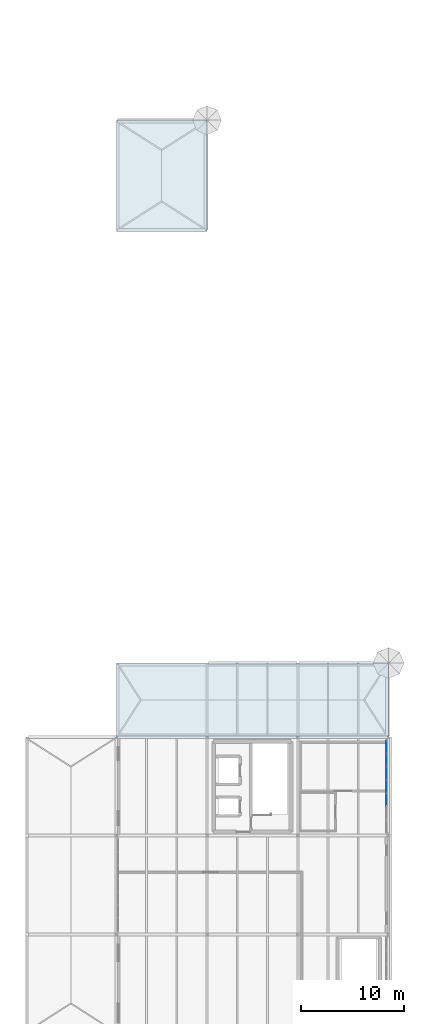
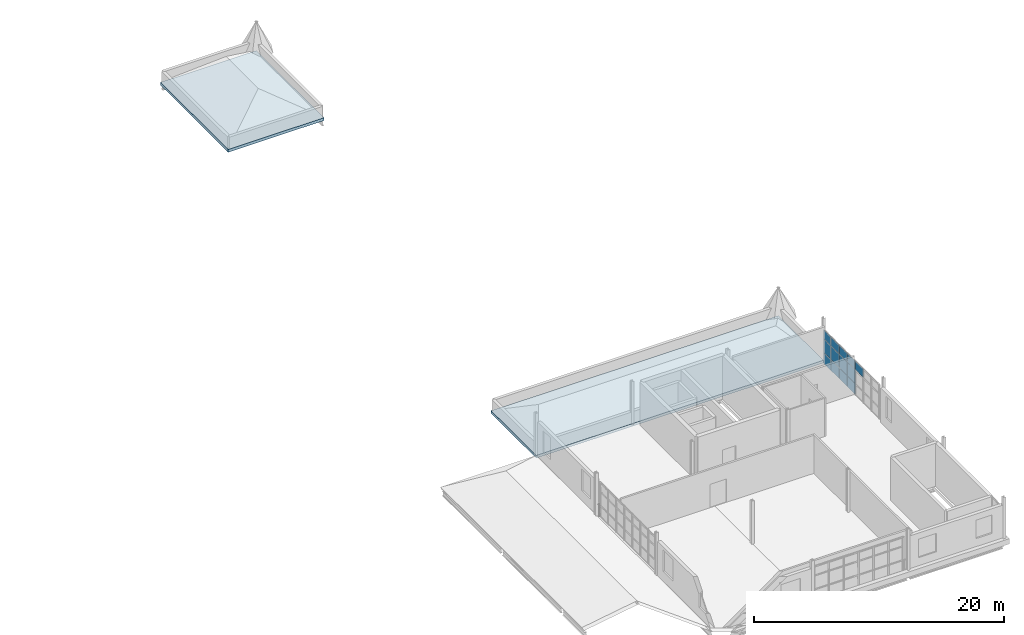
# One storey, part 20 of 28: 13 plates, 2 slabs, 1 element without a shape of its own.
"""IFC4 building model written with IfcOpenShell, lengths in metres."""

from ifc_helpers import new_model, si_unit, direction, frame, origin, origin_2d, place, context, subcontext, project, spatial, polyline, rectangle, outline, extrude, material, layer, layer_set, type_object, element, aggregate, save


model = new_model("IFC4")

# Units and contexts
model_context = context("Model", 3, precision=1e-05, world=origin(), true_north=direction((0.0, 1.0)))
body_context = subcontext(model_context, "Body", "Model", "MODEL_VIEW")
ifc_project = project(units=[si_unit("LENGTHUNIT", "METRE"), si_unit("AREAUNIT", "SQUARE_METRE"), si_unit("VOLUMEUNIT", "CUBIC_METRE"), si_unit("PLANEANGLEUNIT", "RADIAN"), si_unit("MASSUNIT", "GRAM", prefix="KILO")], contexts=[model_context])

# Site, building, storey
site_placement = place(None, origin())
site = spatial("IfcSite", under=ifc_project, at=site_placement, CompositionType="ELEMENT")
building_placement = place(site_placement, origin())
building = spatial("IfcBuilding", under=site, at=building_placement, Name="Yeouljin Market Hall", CompositionType="ELEMENT")
storey_placement = place(building_placement, frame((0.0, 0.0, 15.0)))
storey = spatial("IfcBuildingStorey", under=building, at=storey_placement, Name="L03", CompositionType="ELEMENT", Elevation=15.0)

# Curtain wall, plates
ifc_material_1 = material(Name="Thermally Broken Aluminium", Category="aluminium")
ifc_layer_1 = layer(ifc_material_1, 0.14990234375)
ifc_layer_set_1 = layer_set([ifc_layer_1], Name="Thermally Broken Aluminium")
curtain_wall_type = type_object("IfcCurtainWallType", Name="CW_AcademyRibbon_System", PredefinedType="USERDEFINED", material=ifc_layer_set_1)
curtain_wall_placement = place(storey_placement, origin())
curtain_wall = element("IfcCurtainWall", 1, at=curtain_wall_placement, inside=storey, type_object=curtain_wall_type, Name="Curtain wall CW-L03-W13", ObjectType="CURTAIN WALL", PredefinedType="USERDEFINED")
ifc_material_2 = material(Name="Low-E Insulated Glass", Category="glass")
ifc_layer_2 = layer(ifc_material_2, 0.028076171875)
ifc_layer_set_2 = layer_set([ifc_layer_2], Name="Low-E Insulated Glass")
plate_type = type_object("IfcPlateType", Name="CWPanel_LowE_28", PredefinedType="CURTAIN_PANEL", material=ifc_layer_set_2)
plate_1_placement = place(storey_placement, frame((176.199951171875, 27.84521484375, 0.0478515625), z_axis=(0.0, 0.0, 1.0), x_axis=(0.0, -1.0, 0.0)))
plate_1 = element("IfcPlate", 2, at=plate_1_placement, type_object=plate_type, Name="CW-05 panel 1.1", PredefinedType="CURTAIN_PANEL", context=body_context, shape_type="SweptSolid", body=[
    extrude(rectangle(XDim=1.213623046875, YDim=0.028076171875, at=origin_2d()), origin(), (0.0, 0.0, 1.0), 1.028076171875),
])
plate_2_placement = place(storey_placement, frame((176.199951171875, 27.84521484375, 1.1240234375), z_axis=(0.0, 0.0, 1.0), x_axis=(0.0, -1.0, 0.0)))
plate_2 = element("IfcPlate", 3, at=plate_2_placement, type_object=plate_type, Name="CW-05 panel 1.2", PredefinedType="CURTAIN_PANEL", context=body_context, shape_type="SweptSolid", body=[
    extrude(rectangle(XDim=1.213623046875, YDim=0.028076171875, at=origin_2d()), origin(), (0.0, 0.0, 1.0), 1.302001953125),
])
plate_3_placement = place(storey_placement, frame((176.199951171875, 27.84521484375, 2.47412109375), z_axis=(0.0, 0.0, 1.0), x_axis=(0.0, -1.0, 0.0)))
plate_3 = element("IfcPlate", 4, at=plate_3_placement, type_object=plate_type, Name="CW-05 panel 1.3", PredefinedType="CURTAIN_PANEL", context=body_context, shape_type="SweptSolid", body=[
    extrude(rectangle(XDim=1.213623046875, YDim=0.028076171875, at=origin_2d()), origin(), (0.0, 0.0, 1.0), 0.827880859375),
])
plate_4_placement = place(storey_placement, frame((176.199951171875, 26.571533203125, 0.0478515625), z_axis=(0.0, 0.0, 1.0), x_axis=(0.0, -1.0, 0.0)))
plate_4 = element("IfcPlate", 5, at=plate_4_placement, type_object=plate_type, Name="CW-05 panel 2.1", PredefinedType="CURTAIN_PANEL", context=body_context, shape_type="SweptSolid", body=[
    extrude(rectangle(XDim=1.23779296875, YDim=0.028076171875, at=origin_2d()), origin(), (0.0, 0.0, 1.0), 1.028076171875),
])
plate_5_placement = place(storey_placement, frame((176.199951171875, 26.571533203125, 1.1240234375), z_axis=(0.0, 0.0, 1.0), x_axis=(0.0, -1.0, 0.0)))
plate_5 = element("IfcPlate", 6, at=plate_5_placement, type_object=plate_type, Name="CW-05 panel 2.2", PredefinedType="CURTAIN_PANEL", context=body_context, shape_type="SweptSolid", body=[
    extrude(rectangle(XDim=1.23779296875, YDim=0.028076171875, at=origin_2d()), origin(), (0.0, 0.0, 1.0), 1.302001953125),
])
plate_6_placement = place(storey_placement, frame((176.199951171875, 26.571533203125, 2.47412109375), z_axis=(0.0, 0.0, 1.0), x_axis=(0.0, -1.0, 0.0)))
plate_6 = element("IfcPlate", 7, at=plate_6_placement, type_object=plate_type, Name="CW-05 panel 2.3", PredefinedType="CURTAIN_PANEL", context=body_context, shape_type="SweptSolid", body=[
    extrude(rectangle(XDim=1.23779296875, YDim=0.028076171875, at=origin_2d()), origin(), (0.0, 0.0, 1.0), 0.827880859375),
])
plate_7_placement = place(storey_placement, frame((176.199951171875, 25.28564453125, 0.0478515625), z_axis=(0.0, 0.0, 1.0), x_axis=(0.0, -1.0, 0.0)))
plate_7 = element("IfcPlate", 8, at=plate_7_placement, type_object=plate_type, Name="CW-05 panel 3.1", PredefinedType="CURTAIN_PANEL", context=body_context, shape_type="SweptSolid", body=[
    extrude(rectangle(XDim=1.23779296875, YDim=0.028076171875, at=origin_2d()), origin(), (0.0, 0.0, 1.0), 1.028076171875),
])
plate_8_placement = place(storey_placement, frame((176.199951171875, 25.28564453125, 1.1240234375), z_axis=(0.0, 0.0, 1.0), x_axis=(0.0, -1.0, 0.0)))
plate_8 = element("IfcPlate", 9, at=plate_8_placement, type_object=plate_type, Name="CW-05 panel 3.2", PredefinedType="CURTAIN_PANEL", context=body_context, shape_type="SweptSolid", body=[
    extrude(rectangle(XDim=1.23779296875, YDim=0.028076171875, at=origin_2d()), origin(), (0.0, 0.0, 1.0), 1.302001953125),
])
plate_9_placement = place(storey_placement, frame((176.199951171875, 25.28564453125, 2.47412109375), z_axis=(0.0, 0.0, 1.0), x_axis=(0.0, -1.0, 0.0)))
plate_9 = element("IfcPlate", 10, at=plate_9_placement, type_object=plate_type, Name="CW-05 panel 3.3", PredefinedType="CURTAIN_PANEL", context=body_context, shape_type="SweptSolid", body=[
    extrude(rectangle(XDim=1.23779296875, YDim=0.028076171875, at=origin_2d()), origin(), (0.0, 0.0, 1.0), 0.827880859375),
])
plate_10_placement = place(storey_placement, frame((176.199951171875, 24.0, 0.0478515625), z_axis=(0.0, 0.0, 1.0), x_axis=(0.0, -1.0, 0.0)))
plate_10 = element("IfcPlate", 11, at=plate_10_placement, type_object=plate_type, Name="CW-05 panel 4.1", PredefinedType="CURTAIN_PANEL", context=body_context, shape_type="SweptSolid", body=[
    extrude(rectangle(XDim=1.23779296875, YDim=0.028076171875, at=origin_2d()), origin(), (0.0, 0.0, 1.0), 1.028076171875),
])
plate_11_placement = place(storey_placement, frame((176.199951171875, 24.0, 1.1240234375), z_axis=(0.0, 0.0, 1.0), x_axis=(0.0, -1.0, 0.0)))
plate_11 = element("IfcPlate", 12, at=plate_11_placement, type_object=plate_type, Name="CW-05 panel 4.2", PredefinedType="CURTAIN_PANEL", context=body_context, shape_type="SweptSolid", body=[
    extrude(rectangle(XDim=1.23779296875, YDim=0.028076171875, at=origin_2d()), origin(), (0.0, 0.0, 1.0), 1.302001953125),
])
plate_12_placement = place(storey_placement, frame((176.199951171875, 24.0, 2.47412109375), z_axis=(0.0, 0.0, 1.0), x_axis=(0.0, -1.0, 0.0)))
plate_12 = element("IfcPlate", 13, at=plate_12_placement, type_object=plate_type, Name="CW-05 panel 4.3", PredefinedType="CURTAIN_PANEL", context=body_context, shape_type="SweptSolid", body=[
    extrude(rectangle(XDim=1.23779296875, YDim=0.028076171875, at=origin_2d()), origin(), (0.0, 0.0, 1.0), 0.827880859375),
])
plate_13_placement = place(storey_placement, frame((176.199951171875, 22.71435546875, 2.47412109375), z_axis=(0.0, 0.0, 1.0), x_axis=(0.0, -1.0, 0.0)))
plate_13 = element("IfcPlate", 14, at=plate_13_placement, type_object=plate_type, Name="CW-05 panel 5.3", PredefinedType="CURTAIN_PANEL", context=body_context, shape_type="SweptSolid", body=[
    extrude(rectangle(XDim=1.23779296875, YDim=0.028076171875, at=origin_2d()), origin(), (0.0, 0.0, 1.0), 0.827880859375),
])
aggregate(curtain_wall, [plate_1, plate_2, plate_3, plate_4, plate_5, plate_6, plate_7, plate_8, plate_9, plate_10, plate_11, plate_12, plate_13])

# Slabs
ifc_material_3 = material(Name="Concrete C30/37", Category="concrete")
ifc_layer_3 = layer(ifc_material_3, 0.260009765625)
ifc_layer_set_3 = layer_set([ifc_layer_3], Name="Concrete C30/37")
slab_type_1 = type_object("IfcSlabType", Name="SLB_ROOF_195", PredefinedType="ROOF", material=ifc_layer_set_3)
slab_1_placement = place(storey_placement, frame((0.0, 0.0, -0.25)))
element("IfcSlab", 15, at=slab_1_placement, inside=storey, type_object=slab_type_1, Name="Wing structural roof slab RSLB-V3-L03N", PredefinedType="ROOF", context=body_context, shape_type="SweptSolid", body=[
    extrude(outline(polyline([(149.909912109375, 28.800048828125), (176.39990234375, 28.800048828125), (176.39990234375, 36.0), (149.909912109375, 36.0), (149.909912109375, 28.800048828125)])), origin(), (0.0, 0.0, 1.0), 0.260009765625),
])
ifc_material_4 = material(Name="Concrete C30/37", Category="concrete")
ifc_layer_4 = layer(ifc_material_4, 0.27490234375)
ifc_layer_set_4 = layer_set([ifc_layer_4], Name="Concrete C30/37")
slab_type_2 = type_object("IfcSlabType", Name="SLB_ROOF_210", PredefinedType="ROOF", material=ifc_layer_set_4)
slab_2_placement = place(storey_placement, frame((0.0, 0.0, -0.264892578125)))
element("IfcSlab", 16, at=slab_2_placement, inside=storey, type_object=slab_type_2, Name="Wing structural roof slab RSLB-V3-L02N", PredefinedType="ROOF", context=body_context, shape_type="SweptSolid", body=[
    extrude(outline(polyline([(149.909912109375, 78.0), (158.739990234375, 78.0), (158.739990234375, 88.800048828125), (149.909912109375, 88.800048828125), (149.909912109375, 78.0)])), origin(), (0.0, 0.0, 1.0), 0.27490234375),
])

save(model, "model.ifc")
